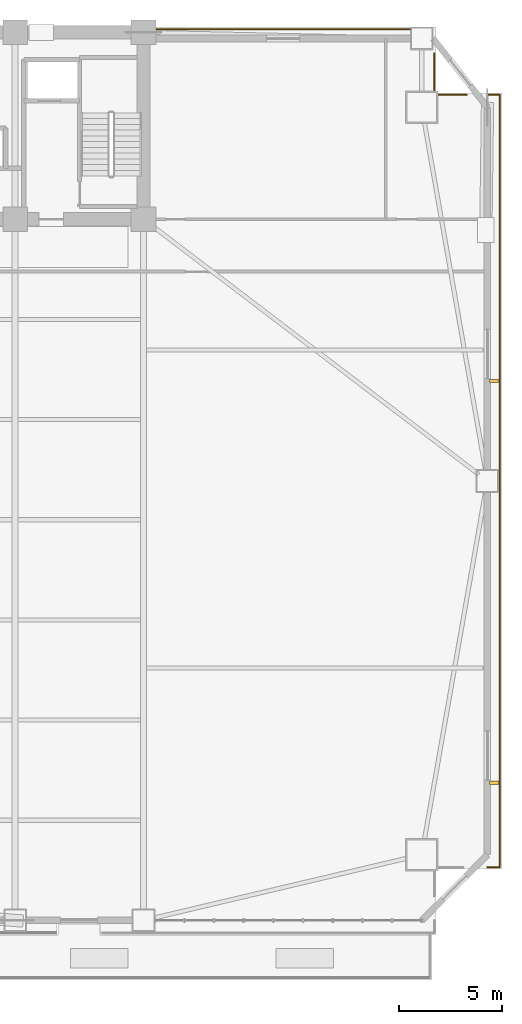
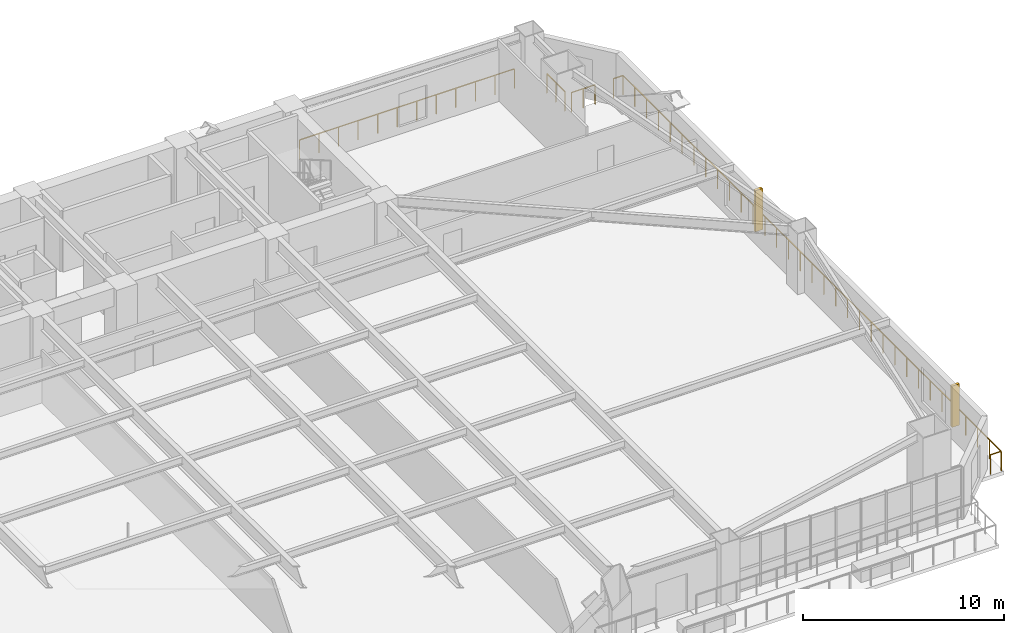
# One storey, part 17 of 17: 6 railings, 2 shading devices.
"""IFC4 building model written with IfcOpenShell, lengths in metres."""

from ifc_helpers import new_model, si_unit, direction, frame, origin, origin_2d, place, context, subcontext, project, spatial, rectangle, extrude, source, transform, mapped, material, type_object, element, save


model = new_model("IFC4")

# Units and contexts
model_context = context("Model", 3, precision=1e-05, world=origin(), true_north=direction((0.0, 1.0)))
body_context = subcontext(model_context, "Body", "Model", "MODEL_VIEW")
ifc_project = project(units=[si_unit("LENGTHUNIT", "METRE"), si_unit("AREAUNIT", "SQUARE_METRE"), si_unit("VOLUMEUNIT", "CUBIC_METRE"), si_unit("PLANEANGLEUNIT", "RADIAN"), si_unit("MASSUNIT", "GRAM", prefix="KILO")], contexts=[model_context])

# Site, building, storey
site_placement = place(None, origin())
site = spatial("IfcSite", under=ifc_project, at=site_placement, CompositionType="ELEMENT")
building_placement = place(site_placement, origin())
building = spatial("IfcBuilding", under=site, at=building_placement, Name="Giltprow Tower", CompositionType="ELEMENT")
storey_placement = place(building_placement, frame((0.0, 0.0, 25.39990234375)))
storey = spatial("IfcBuildingStorey", under=building, at=storey_placement, Name="L06", CompositionType="ELEMENT", Elevation=25.39990234375)

# Railings
ifc_material = material(Name="Anodized bronze", Category="metal")
railing_type = type_object("IfcRailingType", Name="RAIL-BALC-GUARD-1200", PredefinedType="BALUSTRADE", material=ifc_material)
railing_1_placement = place(storey_placement, frame((51.18505859375, 46.699951171875, 0.0)))
element("IfcRailing", 1, at=railing_1_placement, inside=storey, type_object=railing_type, Name="L06 Corner Apron Edge Balustrade 10", PredefinedType="BALUSTRADE", context=body_context, shape_type="SweptSolid", body=[
    extrude(rectangle(XDim=0.048095703125, YDim=0.048095703125, at=origin_2d()), frame((0.0, 0.0, 1.17578125), z_axis=(1.0, 0.0, 0.0), x_axis=(0.0, 1.0, 0.0)), (0.0, 0.0, 1.0), 12.329833984375),
    extrude(rectangle(XDim=0.0419921875, YDim=0.0419921875, at=origin_2d()), origin(), (0.0, 0.0, 1.0), 1.15185546875),
    extrude(rectangle(XDim=0.0419921875, YDim=0.0419921875, at=origin_2d()), frame((1.120849609375, 0.0, 0.0)), (0.0, 0.0, 1.0), 1.15185546875),
    extrude(rectangle(XDim=0.0419921875, YDim=0.0419921875, at=origin_2d()), frame((2.24169921875, 0.0, 0.0)), (0.0, 0.0, 1.0), 1.15185546875),
    extrude(rectangle(XDim=0.0419921875, YDim=0.0419921875, at=origin_2d()), frame((3.36279296875, 0.0, 0.0)), (0.0, 0.0, 1.0), 1.15185546875),
    extrude(rectangle(XDim=0.0419921875, YDim=0.0419921875, at=origin_2d()), frame((4.483642578125, 0.0, 0.0)), (0.0, 0.0, 1.0), 1.15185546875),
    extrude(rectangle(XDim=0.0419921875, YDim=0.0419921875, at=origin_2d()), frame((5.6044921875, 0.0, 0.0)), (0.0, 0.0, 1.0), 1.15185546875),
    extrude(rectangle(XDim=0.0419921875, YDim=0.0419921875, at=origin_2d()), frame((6.725341796875, 0.0, 0.0)), (0.0, 0.0, 1.0), 1.15185546875),
    extrude(rectangle(XDim=0.0419921875, YDim=0.0419921875, at=origin_2d()), frame((7.84619140625, 0.0, 0.0)), (0.0, 0.0, 1.0), 1.15185546875),
    extrude(rectangle(XDim=0.0419921875, YDim=0.0419921875, at=origin_2d()), frame((8.967041015625, 0.0, 0.0)), (0.0, 0.0, 1.0), 1.15185546875),
    extrude(rectangle(XDim=0.0419921875, YDim=0.0419921875, at=origin_2d()), frame((10.088134765625, 0.0, 0.0)), (0.0, 0.0, 1.0), 1.15185546875),
    extrude(rectangle(XDim=0.0419921875, YDim=0.0419921875, at=origin_2d()), frame((11.208984375, 0.0, 0.0)), (0.0, 0.0, 1.0), 1.15185546875),
    extrude(rectangle(XDim=0.0419921875, YDim=0.0419921875, at=origin_2d()), frame((12.329833984375, 0.0, 0.0)), (0.0, 0.0, 1.0), 1.15185546875),
])
railing_2_placement = place(storey_placement, frame((64.699951171875, 45.52587890625, 0.0)))
element("IfcRailing", 2, at=railing_2_placement, inside=storey, type_object=railing_type, Name="L06 Corner Apron Edge Balustrade 11", PredefinedType="BALUSTRADE", context=body_context, shape_type="SweptSolid", body=[
    extrude(rectangle(XDim=0.048095703125, YDim=0.048095703125, at=origin_2d()), frame((0.0, 0.0, 1.17578125), z_axis=(0.0, -1.0, 0.0), x_axis=(1.0, 0.0, 0.0)), (0.0, 0.0, 1.0), 1.790771484375),
    extrude(rectangle(XDim=0.0419921875, YDim=0.0419921875, at=origin_2d()), origin(), (0.0, 0.0, 1.0), 1.15185546875),
    extrude(rectangle(XDim=0.0419921875, YDim=0.0419921875, at=origin_2d()), frame((0.0, -0.8955078125, 0.0)), (0.0, 0.0, 1.0), 1.15185546875),
    extrude(rectangle(XDim=0.0419921875, YDim=0.0419921875, at=origin_2d()), frame((0.0, -1.790771484375, 0.0)), (0.0, 0.0, 1.0), 1.15185546875),
])
railing_3_placement = place(storey_placement, frame((64.93505859375, 43.5, 0.0)))
element("IfcRailing", 3, at=railing_3_placement, inside=storey, type_object=railing_type, Name="L06 Corner Apron Edge Balustrade 12", PredefinedType="BALUSTRADE", context=body_context, shape_type="SweptSolid", body=[
    extrude(rectangle(XDim=0.048095703125, YDim=0.048095703125, at=origin_2d()), frame((0.0, 0.0, 1.17578125), z_axis=(1.0, 0.0, 0.0), x_axis=(0.0, 1.0, 0.0)), (0.0, 0.0, 1.0), 1.367919921875),
    extrude(rectangle(XDim=0.0419921875, YDim=0.0419921875, at=origin_2d()), origin(), (0.0, 0.0, 1.0), 1.15185546875),
    extrude(rectangle(XDim=0.0419921875, YDim=0.0419921875, at=origin_2d()), frame((0.68408203125, 0.0, 0.0)), (0.0, 0.0, 1.0), 1.15185546875),
    extrude(rectangle(XDim=0.0419921875, YDim=0.0419921875, at=origin_2d()), frame((1.367919921875, 0.0, 0.0)), (0.0, 0.0, 1.0), 1.15185546875),
])
railing_4_placement = place(storey_placement, frame((67.347900390625, 43.5, 0.0)))
element("IfcRailing", 4, at=railing_4_placement, inside=storey, type_object=railing_type, Name="L06 Corner Apron Edge Balustrade 13", PredefinedType="BALUSTRADE", context=body_context, shape_type="SweptSolid", body=[
    extrude(rectangle(XDim=0.048095703125, YDim=0.048095703125, at=origin_2d()), frame((0.0, 0.0, 1.17578125), z_axis=(1.0, 0.0, 0.0), x_axis=(0.0, 1.0, 0.0)), (0.0, 0.0, 1.0), 0.552001953125),
    extrude(rectangle(XDim=0.0419921875, YDim=0.0419921875, at=origin_2d()), origin(), (0.0, 0.0, 1.0), 1.15185546875),
    extrude(rectangle(XDim=0.0419921875, YDim=0.0419921875, at=origin_2d()), frame((0.552001953125, 0.0, 0.0)), (0.0, 0.0, 1.0), 1.15185546875),
])
railing_5_placement = place(storey_placement, frame((67.89990234375, 43.5, 0.0)))
element("IfcRailing", 5, at=railing_5_placement, inside=storey, type_object=railing_type, Name="L06 Corner Apron Edge Balustrade 14", PredefinedType="BALUSTRADE", context=body_context, shape_type="SweptSolid", body=[
    extrude(rectangle(XDim=0.048095703125, YDim=0.048095703125, at=origin_2d()), frame((0.0, 0.0, 1.17578125), z_axis=(0.0, -1.0, 0.0), x_axis=(1.0, 0.0, 0.0)), (0.0, 0.0, 1.0), 37.60009765625),
    extrude(rectangle(XDim=0.0419921875, YDim=0.0419921875, at=origin_2d()), origin(), (0.0, 0.0, 1.0), 1.15185546875),
    extrude(rectangle(XDim=0.0419921875, YDim=0.0419921875, at=origin_2d()), frame((0.0, -1.175048828125, 0.0)), (0.0, 0.0, 1.0), 1.15185546875),
    extrude(rectangle(XDim=0.0419921875, YDim=0.0419921875, at=origin_2d()), frame((0.0, -2.35009765625, 0.0)), (0.0, 0.0, 1.0), 1.15185546875),
    extrude(rectangle(XDim=0.0419921875, YDim=0.0419921875, at=origin_2d()), frame((0.0, -3.52490234375, 0.0)), (0.0, 0.0, 1.0), 1.15185546875),
    extrude(rectangle(XDim=0.0419921875, YDim=0.0419921875, at=origin_2d()), frame((0.0, -4.699951171875, 0.0)), (0.0, 0.0, 1.0), 1.15185546875),
    extrude(rectangle(XDim=0.0419921875, YDim=0.0419921875, at=origin_2d()), frame((0.0, -5.875, 0.0)), (0.0, 0.0, 1.0), 1.15185546875),
    extrude(rectangle(XDim=0.0419921875, YDim=0.0419921875, at=origin_2d()), frame((0.0, -7.050048828125, 0.0)), (0.0, 0.0, 1.0), 1.15185546875),
    extrude(rectangle(XDim=0.0419921875, YDim=0.0419921875, at=origin_2d()), frame((0.0, -8.22509765625, 0.0)), (0.0, 0.0, 1.0), 1.15185546875),
    extrude(rectangle(XDim=0.0419921875, YDim=0.0419921875, at=origin_2d()), frame((0.0, -9.39990234375, 0.0)), (0.0, 0.0, 1.0), 1.15185546875),
    extrude(rectangle(XDim=0.0419921875, YDim=0.0419921875, at=origin_2d()), frame((0.0, -10.574951171875, 0.0)), (0.0, 0.0, 1.0), 1.15185546875),
    extrude(rectangle(XDim=0.0419921875, YDim=0.0419921875, at=origin_2d()), frame((0.0, -11.75, 0.0)), (0.0, 0.0, 1.0), 1.15185546875),
    extrude(rectangle(XDim=0.0419921875, YDim=0.0419921875, at=origin_2d()), frame((0.0, -12.925048828125, 0.0)), (0.0, 0.0, 1.0), 1.15185546875),
    extrude(rectangle(XDim=0.0419921875, YDim=0.0419921875, at=origin_2d()), frame((0.0, -14.10009765625, 0.0)), (0.0, 0.0, 1.0), 1.15185546875),
    extrude(rectangle(XDim=0.0419921875, YDim=0.0419921875, at=origin_2d()), frame((0.0, -15.275146484375, 0.0)), (0.0, 0.0, 1.0), 1.15185546875),
    extrude(rectangle(XDim=0.0419921875, YDim=0.0419921875, at=origin_2d()), frame((0.0, -16.449951171875, 0.0)), (0.0, 0.0, 1.0), 1.15185546875),
    extrude(rectangle(XDim=0.0419921875, YDim=0.0419921875, at=origin_2d()), frame((0.0, -17.625, 0.0)), (0.0, 0.0, 1.0), 1.15185546875),
    extrude(rectangle(XDim=0.0419921875, YDim=0.0419921875, at=origin_2d()), frame((0.0, -18.800048828125, 0.0)), (0.0, 0.0, 1.0), 1.15185546875),
    extrude(rectangle(XDim=0.0419921875, YDim=0.0419921875, at=origin_2d()), frame((0.0, -19.97509765625, 0.0)), (0.0, 0.0, 1.0), 1.15185546875),
    extrude(rectangle(XDim=0.0419921875, YDim=0.0419921875, at=origin_2d()), frame((0.0, -21.150146484375, 0.0)), (0.0, 0.0, 1.0), 1.15185546875),
    extrude(rectangle(XDim=0.0419921875, YDim=0.0419921875, at=origin_2d()), frame((0.0, -22.324951171875, 0.0)), (0.0, 0.0, 1.0), 1.15185546875),
    extrude(rectangle(XDim=0.0419921875, YDim=0.0419921875, at=origin_2d()), frame((0.0, -23.5, 0.0)), (0.0, 0.0, 1.0), 1.15185546875),
    extrude(rectangle(XDim=0.0419921875, YDim=0.0419921875, at=origin_2d()), frame((0.0, -24.675048828125, 0.0)), (0.0, 0.0, 1.0), 1.15185546875),
    extrude(rectangle(XDim=0.0419921875, YDim=0.0419921875, at=origin_2d()), frame((0.0, -25.85009765625, 0.0)), (0.0, 0.0, 1.0), 1.15185546875),
    extrude(rectangle(XDim=0.0419921875, YDim=0.0419921875, at=origin_2d()), frame((0.0, -27.025146484375, 0.0)), (0.0, 0.0, 1.0), 1.15185546875),
    extrude(rectangle(XDim=0.0419921875, YDim=0.0419921875, at=origin_2d()), frame((0.0, -28.2001953125, 0.0)), (0.0, 0.0, 1.0), 1.15185546875),
    extrude(rectangle(XDim=0.0419921875, YDim=0.0419921875, at=origin_2d()), frame((0.0, -29.375, 0.0)), (0.0, 0.0, 1.0), 1.15185546875),
    extrude(rectangle(XDim=0.0419921875, YDim=0.0419921875, at=origin_2d()), frame((0.0, -30.550048828125, 0.0)), (0.0, 0.0, 1.0), 1.15185546875),
    extrude(rectangle(XDim=0.0419921875, YDim=0.0419921875, at=origin_2d()), frame((0.0, -31.72509765625, 0.0)), (0.0, 0.0, 1.0), 1.15185546875),
    extrude(rectangle(XDim=0.0419921875, YDim=0.0419921875, at=origin_2d()), frame((0.0, -32.900146484375, 0.0)), (0.0, 0.0, 1.0), 1.15185546875),
    extrude(rectangle(XDim=0.0419921875, YDim=0.0419921875, at=origin_2d()), frame((0.0, -34.0751953125, 0.0)), (0.0, 0.0, 1.0), 1.15185546875),
    extrude(rectangle(XDim=0.0419921875, YDim=0.0419921875, at=origin_2d()), frame((0.0, -35.25, 0.0)), (0.0, 0.0, 1.0), 1.15185546875),
    extrude(rectangle(XDim=0.0419921875, YDim=0.0419921875, at=origin_2d()), frame((0.0, -36.425048828125, 0.0)), (0.0, 0.0, 1.0), 1.15185546875),
    extrude(rectangle(XDim=0.0419921875, YDim=0.0419921875, at=origin_2d()), frame((0.0, -37.60009765625, 0.0)), (0.0, 0.0, 1.0), 1.15185546875),
])
railing_6_placement = place(storey_placement, frame((67.89990234375, 5.89990234375, 0.0)))
element("IfcRailing", 6, at=railing_6_placement, inside=storey, type_object=railing_type, Name="L06 Corner Apron Edge Balustrade 15", PredefinedType="BALUSTRADE", context=body_context, shape_type="SweptSolid", body=[
    extrude(rectangle(XDim=0.048095703125, YDim=0.048095703125, at=origin_2d()), frame((0.0, 0.0, 1.17578125), z_axis=(-1.0, 0.0, 0.0), x_axis=(0.0, -1.0, 0.0)), (0.0, 0.0, 1.0), 0.619873046875),
    extrude(rectangle(XDim=0.0419921875, YDim=0.0419921875, at=origin_2d()), origin(), (0.0, 0.0, 1.0), 1.15185546875),
    extrude(rectangle(XDim=0.0419921875, YDim=0.0419921875, at=origin_2d()), frame((-0.619873046875, 0.0, 0.0)), (0.0, 0.0, 1.0), 1.15185546875),
])

# Shading devices
shading_device_type = type_object("IfcShadingDeviceType", Name="SHD-FIN-420", PredefinedType="USERDEFINED", material=ifc_material)
shared_shape = source(origin(), body_context, "Body", "SweptSolid", [
    extrude(rectangle(XDim=0.419921875, YDim=0.159912109375, at=origin_2d()), origin(), (0.0, 0.0, 1.0), 2.5),
])
for number, where, z_axis, x_axis, name in (
    (7, (67.6201171875, 10.009033203125, 0.35009765625), (0.0, 0.0, 1.0), (1.0, 0.0, 0.0), "L06 E Bronze Vertical Fin 1-1"),
    (8, (67.6201171875, 29.56591796875, 0.35009765625), (0.0, 0.0, 1.0), (1.0, 0.0, 0.0), "L06 E Bronze Vertical Fin 2-1"),
):
    element("IfcShadingDevice", number, at=place(storey_placement, frame(where, z_axis=z_axis, x_axis=x_axis)), inside=storey, type_object=shading_device_type, Name=name, ObjectType="FIN", PredefinedType="USERDEFINED", context=body_context, shape_type="MappedRepresentation", body=[
        mapped(shared_shape, transform((0.0, 0.0, 0.0), x_axis=(1.0, 0.0, 0.0), y_axis=(0.0, 1.0, 0.0), z_axis=(0.0, 0.0, 1.0), scale=1.0)),
    ])

save(model, "model.ifc")
